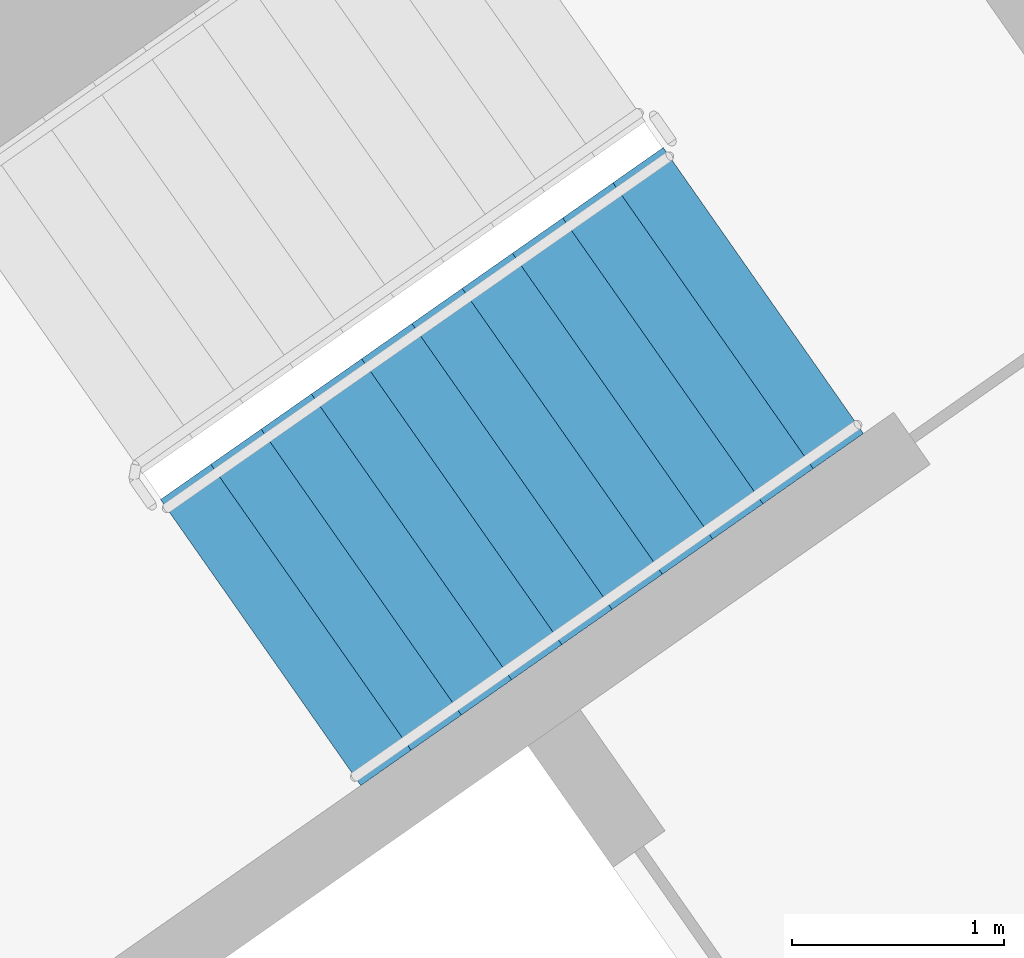
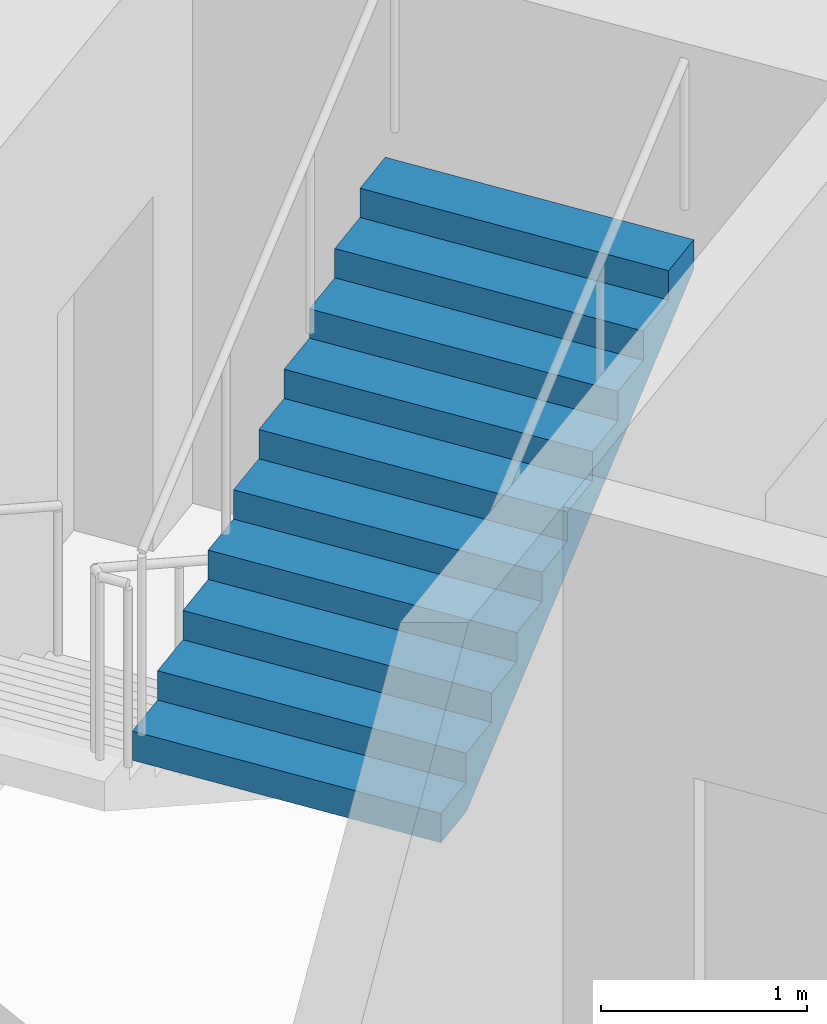
# One storey, part 15 of 31: 1 stair flight, 1 element without a shape of its own.
"""IFC4 building model written with IfcOpenShell, lengths in metres."""

from ifc_helpers import new_model, si_unit, direction, frame, origin, place, context, subcontext, project, spatial, faceted_brep, material, type_object, element, aggregate, save


model = new_model("IFC4")

# Units and contexts
model_context = context("Model", 3, precision=1e-05, world=origin(), true_north=direction((0.0, 1.0)))
body_context = subcontext(model_context, "Body", "Model", "MODEL_VIEW")
ifc_project = project(units=[si_unit("LENGTHUNIT", "METRE"), si_unit("AREAUNIT", "SQUARE_METRE"), si_unit("VOLUMEUNIT", "CUBIC_METRE"), si_unit("PLANEANGLEUNIT", "RADIAN"), si_unit("MASSUNIT", "GRAM", prefix="KILO")], contexts=[model_context])

# Site, building, storey
site_placement = place(None, origin())
site = spatial("IfcSite", under=ifc_project, at=site_placement, CompositionType="ELEMENT")
building_placement = place(site_placement, origin())
building = spatial("IfcBuilding", under=site, at=building_placement, Name="Qamariyya Broadcast Tower", CompositionType="ELEMENT")
storey_placement = place(building_placement, frame((0.0, 0.0, 59.5)))
storey = spatial("IfcBuildingStorey", under=building, at=storey_placement, Name="L11", CompositionType="ELEMENT", Elevation=59.5)

# Stair, stair flight
ifc_material = material(Name="Concrete C50/60", Category="concrete")
stair_type = type_object("IfcStairType", Name="Exit stair 22 risers of 173 mm", PredefinedType="HALF_TURN_STAIR", material=ifc_material)
stair_placement = place(storey_placement, origin())
stair = element("IfcStair", 1, at=stair_placement, inside=storey, type_object=stair_type, Name="L11 Stair E2", PredefinedType="HALF_TURN_STAIR")
stair_flight_type = type_object("IfcStairFlightType", Name="Exit stair flight 11 risers of 173 mm", PredefinedType="STRAIGHT", material=ifc_material)
stair_flight_placement = place(storey_placement, frame((39.215576171875, -50.822998046875, 1.89990234375), z_axis=(0.0, 0.0, 1.0), x_axis=(0.819152044289, 0.573576436351, 0.0)))
stair_flight = element("IfcStairFlight", 2, at=stair_flight_placement, type_object=stair_flight_type, Name="ST-E2 flight 2", NumberOfRisers=11, NumberOfTreads=10, PredefinedType="STRAIGHT", RiserHeight=0.172727273, TreadLength=0.29, context=body_context, shape_type="Brep", body=[
    faceted_brep([(0.0, 0.824951171875, 0.0), (0.0, 0.824951171875, 0.172607421875), (0.2900390625, 0.824951171875, 0.172607421875), (0.2900390625, 0.824951171875, 0.345458984375), (0.580078125, 0.824951171875, 0.345458984375), (0.580078125, 0.824951171875, 0.51806640625), (0.8701171875, 0.824951171875, 0.51806640625), (0.8701171875, 0.824951171875, 0.69091796875), (1.159912109375, 0.824951171875, 0.69091796875), (1.159912109375, 0.824951171875, 0.863525390625), (1.449951171875, 0.824951171875, 0.863525390625), (1.449951171875, 0.824951171875, 1.036376953125), (1.739990234375, 0.824951171875, 1.036376953125), (1.739990234375, 0.824951171875, 1.208984375), (2.030029296875, 0.824951171875, 1.208984375), (2.030029296875, 0.824951171875, 1.3818359375), (2.320068359375, 0.824951171875, 1.3818359375), (2.320068359375, 0.824951171875, 1.554443359375), (2.610107421875, 0.824951171875, 1.554443359375), (2.610107421875, 0.824951171875, 1.727294921875), (2.89990234375, 0.824951171875, 1.727294921875), (2.89990234375, 0.824951171875, 1.552734375), (0.29296875, 0.824951171875, 0.0), (0.29296875, -0.824951171875, 0.0), (2.89990234375, -0.824951171875, 1.552734375), (2.89990234375, -0.824951171875, 1.727294921875), (2.610107421875, -0.824951171875, 1.727294921875), (2.610107421875, -0.824951171875, 1.554443359375), (2.320068359375, -0.824951171875, 1.554443359375), (2.320068359375, -0.824951171875, 1.3818359375), (2.030029296875, -0.824951171875, 1.3818359375), (2.030029296875, -0.824951171875, 1.208984375), (1.739990234375, -0.824951171875, 1.208984375), (1.739990234375, -0.824951171875, 1.036376953125), (1.449951171875, -0.824951171875, 1.036376953125), (1.449951171875, -0.824951171875, 0.863525390625), (1.159912109375, -0.824951171875, 0.863525390625), (1.159912109375, -0.824951171875, 0.69091796875), (0.8701171875, -0.824951171875, 0.69091796875), (0.8701171875, -0.824951171875, 0.51806640625), (0.580078125, -0.824951171875, 0.51806640625), (0.580078125, -0.824951171875, 0.345458984375), (0.2900390625, -0.824951171875, 0.345458984375), (0.2900390625, -0.824951171875, 0.172607421875), (0.0, -0.824951171875, 0.172607421875), (0.0, -0.824951171875, 0.0), (0.0, 0.10009765625, 0.0), (0.0, 0.086669921875, 0.0), (0.0, 0.0732421875, 0.0), (0.0, 0.06005859375, 0.0), (0.0, 0.046630859375, 0.0), (0.0, 0.033447265625, 0.0), (0.0, 0.02001953125, 0.0), (0.0, 0.006591796875, 0.0), (0.0, -0.006591796875, 0.0), (0.0, -0.02001953125, 0.0), (0.0, -0.033447265625, 0.0), (0.0, -0.046630859375, 0.0), (0.0, -0.06005859375, 0.0), (0.0, -0.0732421875, 0.0), (0.0, -0.086669921875, 0.0), (0.0, -0.10009765625, 0.0), (0.0, -0.10009765625, 0.172607421875), (0.0, -0.086669921875, 0.172607421875), (0.0, -0.0732421875, 0.172607421875), (0.0, -0.06005859375, 0.172607421875), (0.0, -0.046630859375, 0.172607421875), (0.0, -0.033447265625, 0.172607421875), (0.0, -0.02001953125, 0.172607421875), (0.0, -0.006591796875, 0.172607421875), (0.0, 0.006591796875, 0.172607421875), (0.0, 0.02001953125, 0.172607421875), (0.0, 0.033447265625, 0.172607421875), (0.0, 0.046630859375, 0.172607421875), (0.0, 0.06005859375, 0.172607421875), (0.0, 0.0732421875, 0.172607421875), (0.0, 0.086669921875, 0.172607421875), (0.0, 0.10009765625, 0.172607421875), (0.2900390625, -0.10009765625, 0.172607421875), (0.2900390625, -0.086669921875, 0.172607421875), (0.2900390625, -0.0732421875, 0.172607421875), (0.2900390625, -0.06005859375, 0.172607421875), (0.2900390625, -0.046630859375, 0.172607421875), (0.2900390625, -0.033447265625, 0.172607421875), (0.2900390625, -0.02001953125, 0.172607421875), (0.2900390625, -0.006591796875, 0.172607421875), (0.2900390625, 0.006591796875, 0.172607421875), (0.2900390625, 0.02001953125, 0.172607421875), (0.2900390625, 0.033447265625, 0.172607421875), (0.2900390625, 0.046630859375, 0.172607421875), (0.2900390625, 0.06005859375, 0.172607421875), (0.2900390625, 0.0732421875, 0.172607421875), (0.2900390625, 0.086669921875, 0.172607421875), (0.2900390625, 0.10009765625, 0.172607421875), (0.2900390625, -0.10009765625, 0.345458984375), (0.2900390625, -0.086669921875, 0.345458984375), (0.2900390625, -0.0732421875, 0.345458984375), (0.2900390625, -0.06005859375, 0.345458984375), (0.2900390625, -0.046630859375, 0.345458984375), (0.2900390625, -0.033447265625, 0.345458984375), (0.2900390625, -0.02001953125, 0.345458984375), (0.2900390625, -0.006591796875, 0.345458984375), (0.2900390625, 0.006591796875, 0.345458984375), (0.2900390625, 0.02001953125, 0.345458984375), (0.2900390625, 0.033447265625, 0.345458984375), (0.2900390625, 0.046630859375, 0.345458984375), (0.2900390625, 0.06005859375, 0.345458984375), (0.2900390625, 0.0732421875, 0.345458984375), (0.2900390625, 0.086669921875, 0.345458984375), (0.2900390625, 0.10009765625, 0.345458984375), (0.580078125, -0.10009765625, 0.345458984375), (0.580078125, -0.086669921875, 0.345458984375), (0.580078125, -0.0732421875, 0.345458984375), (0.580078125, -0.06005859375, 0.345458984375), (0.580078125, -0.046630859375, 0.345458984375), (0.580078125, -0.033447265625, 0.345458984375), (0.580078125, -0.02001953125, 0.345458984375), (0.580078125, -0.006591796875, 0.345458984375), (0.580078125, 0.006591796875, 0.345458984375), (0.580078125, 0.02001953125, 0.345458984375), (0.580078125, 0.033447265625, 0.345458984375), (0.580078125, 0.046630859375, 0.345458984375), (0.580078125, 0.06005859375, 0.345458984375), (0.580078125, 0.0732421875, 0.345458984375), (0.580078125, 0.086669921875, 0.345458984375), (0.580078125, 0.10009765625, 0.345458984375), (0.580078125, -0.10009765625, 0.51806640625), (0.580078125, -0.086669921875, 0.51806640625), (0.580078125, -0.0732421875, 0.51806640625), (0.580078125, -0.06005859375, 0.51806640625), (0.580078125, -0.046630859375, 0.51806640625), (0.580078125, -0.033447265625, 0.51806640625), (0.580078125, -0.02001953125, 0.51806640625), (0.580078125, -0.006591796875, 0.51806640625), (0.580078125, 0.006591796875, 0.51806640625), (0.580078125, 0.02001953125, 0.51806640625), (0.580078125, 0.033447265625, 0.51806640625), (0.580078125, 0.046630859375, 0.51806640625), (0.580078125, 0.06005859375, 0.51806640625), (0.580078125, 0.0732421875, 0.51806640625), (0.580078125, 0.086669921875, 0.51806640625), (0.580078125, 0.10009765625, 0.51806640625), (0.8701171875, -0.10009765625, 0.51806640625), (0.8701171875, -0.086669921875, 0.51806640625), (0.8701171875, -0.0732421875, 0.51806640625), (0.8701171875, -0.06005859375, 0.51806640625), (0.8701171875, -0.046630859375, 0.51806640625), (0.8701171875, -0.033447265625, 0.51806640625), (0.8701171875, -0.02001953125, 0.51806640625), (0.8701171875, -0.006591796875, 0.51806640625), (0.8701171875, 0.006591796875, 0.51806640625), (0.8701171875, 0.02001953125, 0.51806640625), (0.8701171875, 0.033447265625, 0.51806640625), (0.8701171875, 0.046630859375, 0.51806640625), (0.8701171875, 0.06005859375, 0.51806640625), (0.8701171875, 0.0732421875, 0.51806640625), (0.8701171875, 0.086669921875, 0.51806640625), (0.8701171875, 0.10009765625, 0.51806640625), (0.8701171875, -0.10009765625, 0.69091796875), (0.8701171875, -0.086669921875, 0.69091796875), (0.8701171875, -0.0732421875, 0.69091796875), (0.8701171875, -0.06005859375, 0.69091796875), (0.8701171875, -0.046630859375, 0.69091796875), (0.8701171875, -0.033447265625, 0.69091796875), (0.8701171875, -0.02001953125, 0.69091796875), (0.8701171875, -0.006591796875, 0.69091796875), (0.8701171875, 0.006591796875, 0.69091796875), (0.8701171875, 0.02001953125, 0.69091796875), (0.8701171875, 0.033447265625, 0.69091796875), (0.8701171875, 0.046630859375, 0.69091796875), (0.8701171875, 0.06005859375, 0.69091796875), (0.8701171875, 0.0732421875, 0.69091796875), (0.8701171875, 0.086669921875, 0.69091796875), (0.8701171875, 0.10009765625, 0.69091796875), (1.159912109375, -0.10009765625, 0.69091796875), (1.159912109375, -0.086669921875, 0.69091796875), (1.159912109375, -0.0732421875, 0.69091796875), (1.159912109375, -0.06005859375, 0.69091796875), (1.159912109375, -0.046630859375, 0.69091796875), (1.159912109375, -0.033447265625, 0.69091796875), (1.159912109375, -0.02001953125, 0.69091796875), (1.159912109375, -0.006591796875, 0.69091796875), (1.159912109375, 0.006591796875, 0.69091796875), (1.159912109375, 0.02001953125, 0.69091796875), (1.159912109375, 0.033447265625, 0.69091796875), (1.159912109375, 0.046630859375, 0.69091796875), (1.159912109375, 0.06005859375, 0.69091796875), (1.159912109375, 0.0732421875, 0.69091796875), (1.159912109375, 0.086669921875, 0.69091796875), (1.159912109375, 0.10009765625, 0.69091796875), (1.159912109375, -0.10009765625, 0.863525390625), (1.159912109375, -0.086669921875, 0.863525390625), (1.159912109375, -0.0732421875, 0.863525390625), (1.159912109375, -0.06005859375, 0.863525390625), (1.159912109375, -0.046630859375, 0.863525390625), (1.159912109375, -0.033447265625, 0.863525390625), (1.159912109375, -0.02001953125, 0.863525390625), (1.159912109375, -0.006591796875, 0.863525390625), (1.159912109375, 0.006591796875, 0.863525390625), (1.159912109375, 0.02001953125, 0.863525390625), (1.159912109375, 0.033447265625, 0.863525390625), (1.159912109375, 0.046630859375, 0.863525390625), (1.159912109375, 0.06005859375, 0.863525390625), (1.159912109375, 0.0732421875, 0.863525390625), (1.159912109375, 0.086669921875, 0.863525390625), (1.159912109375, 0.10009765625, 0.863525390625), (1.449951171875, -0.10009765625, 0.863525390625), (1.449951171875, -0.086669921875, 0.863525390625), (1.449951171875, -0.0732421875, 0.863525390625), (1.449951171875, -0.06005859375, 0.863525390625), (1.449951171875, -0.046630859375, 0.863525390625), (1.449951171875, -0.033447265625, 0.863525390625), (1.449951171875, -0.02001953125, 0.863525390625), (1.449951171875, -0.006591796875, 0.863525390625), (1.449951171875, 0.006591796875, 0.863525390625), (1.449951171875, 0.02001953125, 0.863525390625), (1.449951171875, 0.033447265625, 0.863525390625), (1.449951171875, 0.046630859375, 0.863525390625), (1.449951171875, 0.06005859375, 0.863525390625), (1.449951171875, 0.0732421875, 0.863525390625), (1.449951171875, 0.086669921875, 0.863525390625), (1.449951171875, 0.10009765625, 0.863525390625), (1.449951171875, -0.10009765625, 1.036376953125), (1.449951171875, -0.086669921875, 1.036376953125), (1.449951171875, -0.0732421875, 1.036376953125), (1.449951171875, -0.06005859375, 1.036376953125), (1.449951171875, -0.046630859375, 1.036376953125), (1.449951171875, -0.033447265625, 1.036376953125), (1.449951171875, -0.02001953125, 1.036376953125), (1.449951171875, -0.006591796875, 1.036376953125), (1.449951171875, 0.006591796875, 1.036376953125), (1.449951171875, 0.02001953125, 1.036376953125), (1.449951171875, 0.033447265625, 1.036376953125), (1.449951171875, 0.046630859375, 1.036376953125), (1.449951171875, 0.06005859375, 1.036376953125), (1.449951171875, 0.0732421875, 1.036376953125), (1.449951171875, 0.086669921875, 1.036376953125), (1.449951171875, 0.10009765625, 1.036376953125), (1.739990234375, -0.10009765625, 1.036376953125), (1.739990234375, -0.086669921875, 1.036376953125), (1.739990234375, -0.0732421875, 1.036376953125), (1.739990234375, -0.06005859375, 1.036376953125), (1.739990234375, -0.046630859375, 1.036376953125), (1.739990234375, -0.033447265625, 1.036376953125), (1.739990234375, -0.02001953125, 1.036376953125), (1.739990234375, -0.006591796875, 1.036376953125), (1.739990234375, 0.006591796875, 1.036376953125), (1.739990234375, 0.02001953125, 1.036376953125), (1.739990234375, 0.033447265625, 1.036376953125), (1.739990234375, 0.046630859375, 1.036376953125), (1.739990234375, 0.06005859375, 1.036376953125), (1.739990234375, 0.0732421875, 1.036376953125), (1.739990234375, 0.086669921875, 1.036376953125), (1.739990234375, 0.10009765625, 1.036376953125), (1.739990234375, -0.10009765625, 1.208984375), (1.739990234375, -0.086669921875, 1.208984375), (1.739990234375, -0.0732421875, 1.208984375), (1.739990234375, -0.06005859375, 1.208984375), (1.739990234375, -0.046630859375, 1.208984375), (1.739990234375, -0.033447265625, 1.208984375), (1.739990234375, -0.02001953125, 1.208984375), (1.739990234375, -0.006591796875, 1.208984375), (1.739990234375, 0.006591796875, 1.208984375), (1.739990234375, 0.02001953125, 1.208984375), (1.739990234375, 0.033447265625, 1.208984375), (1.739990234375, 0.046630859375, 1.208984375), (1.739990234375, 0.06005859375, 1.208984375), (1.739990234375, 0.0732421875, 1.208984375), (1.739990234375, 0.086669921875, 1.208984375), (1.739990234375, 0.10009765625, 1.208984375), (2.030029296875, -0.10009765625, 1.208984375), (2.030029296875, -0.086669921875, 1.208984375), (2.030029296875, -0.0732421875, 1.208984375), (2.030029296875, -0.06005859375, 1.208984375), (2.030029296875, -0.046630859375, 1.208984375), (2.030029296875, -0.033447265625, 1.208984375), (2.030029296875, -0.02001953125, 1.208984375), (2.030029296875, -0.006591796875, 1.208984375), (2.030029296875, 0.006591796875, 1.208984375), (2.030029296875, 0.02001953125, 1.208984375), (2.030029296875, 0.033447265625, 1.208984375), (2.030029296875, 0.046630859375, 1.208984375), (2.030029296875, 0.06005859375, 1.208984375), (2.030029296875, 0.0732421875, 1.208984375), (2.030029296875, 0.086669921875, 1.208984375), (2.030029296875, 0.10009765625, 1.208984375), (2.030029296875, -0.10009765625, 1.3818359375), (2.030029296875, -0.086669921875, 1.3818359375), (2.030029296875, -0.0732421875, 1.3818359375), (2.030029296875, -0.06005859375, 1.3818359375), (2.030029296875, -0.046630859375, 1.3818359375), (2.030029296875, -0.033447265625, 1.3818359375), (2.030029296875, -0.02001953125, 1.3818359375), (2.030029296875, -0.006591796875, 1.3818359375), (2.030029296875, 0.006591796875, 1.3818359375), (2.030029296875, 0.02001953125, 1.3818359375), (2.030029296875, 0.033447265625, 1.3818359375), (2.030029296875, 0.046630859375, 1.3818359375), (2.030029296875, 0.06005859375, 1.3818359375), (2.030029296875, 0.0732421875, 1.3818359375), (2.030029296875, 0.086669921875, 1.3818359375), (2.030029296875, 0.10009765625, 1.3818359375), (2.320068359375, -0.10009765625, 1.3818359375), (2.320068359375, -0.086669921875, 1.3818359375), (2.320068359375, -0.0732421875, 1.3818359375), (2.320068359375, -0.06005859375, 1.3818359375), (2.320068359375, -0.046630859375, 1.3818359375), (2.320068359375, -0.033447265625, 1.3818359375), (2.320068359375, -0.02001953125, 1.3818359375), (2.320068359375, -0.006591796875, 1.3818359375), (2.320068359375, 0.006591796875, 1.3818359375), (2.320068359375, 0.02001953125, 1.3818359375), (2.320068359375, 0.033447265625, 1.3818359375), (2.320068359375, 0.046630859375, 1.3818359375), (2.320068359375, 0.06005859375, 1.3818359375), (2.320068359375, 0.0732421875, 1.3818359375), (2.320068359375, 0.086669921875, 1.3818359375), (2.320068359375, 0.10009765625, 1.3818359375), (2.320068359375, -0.10009765625, 1.554443359375), (2.320068359375, -0.086669921875, 1.554443359375), (2.320068359375, -0.0732421875, 1.554443359375), (2.320068359375, -0.06005859375, 1.554443359375), (2.320068359375, -0.046630859375, 1.554443359375), (2.320068359375, -0.033447265625, 1.554443359375), (2.320068359375, -0.02001953125, 1.554443359375), (2.320068359375, -0.006591796875, 1.554443359375), (2.320068359375, 0.006591796875, 1.554443359375), (2.320068359375, 0.02001953125, 1.554443359375), (2.320068359375, 0.033447265625, 1.554443359375), (2.320068359375, 0.046630859375, 1.554443359375), (2.320068359375, 0.06005859375, 1.554443359375), (2.320068359375, 0.0732421875, 1.554443359375), (2.320068359375, 0.086669921875, 1.554443359375), (2.320068359375, 0.10009765625, 1.554443359375), (2.610107421875, -0.10009765625, 1.554443359375), (2.610107421875, -0.086669921875, 1.554443359375), (2.610107421875, -0.0732421875, 1.554443359375), (2.610107421875, -0.06005859375, 1.554443359375), (2.610107421875, -0.046630859375, 1.554443359375), (2.610107421875, -0.033447265625, 1.554443359375), (2.610107421875, -0.02001953125, 1.554443359375), (2.610107421875, -0.006591796875, 1.554443359375), (2.610107421875, 0.006591796875, 1.554443359375), (2.610107421875, 0.02001953125, 1.554443359375), (2.610107421875, 0.033447265625, 1.554443359375), (2.610107421875, 0.046630859375, 1.554443359375), (2.610107421875, 0.06005859375, 1.554443359375), (2.610107421875, 0.0732421875, 1.554443359375), (2.610107421875, 0.086669921875, 1.554443359375), (2.610107421875, 0.10009765625, 1.554443359375), (2.610107421875, -0.10009765625, 1.727294921875), (2.610107421875, -0.086669921875, 1.727294921875), (2.610107421875, -0.0732421875, 1.727294921875), (2.610107421875, -0.06005859375, 1.727294921875), (2.610107421875, -0.046630859375, 1.727294921875), (2.610107421875, -0.033447265625, 1.727294921875), (2.610107421875, -0.02001953125, 1.727294921875), (2.610107421875, -0.006591796875, 1.727294921875), (2.610107421875, 0.006591796875, 1.727294921875), (2.610107421875, 0.02001953125, 1.727294921875), (2.610107421875, 0.033447265625, 1.727294921875), (2.610107421875, 0.046630859375, 1.727294921875), (2.610107421875, 0.06005859375, 1.727294921875), (2.610107421875, 0.0732421875, 1.727294921875), (2.610107421875, 0.086669921875, 1.727294921875), (2.610107421875, 0.10009765625, 1.727294921875), (2.89990234375, -0.10009765625, 1.727294921875), (2.89990234375, -0.086669921875, 1.727294921875), (2.89990234375, -0.0732421875, 1.727294921875), (2.89990234375, -0.06005859375, 1.727294921875), (2.89990234375, -0.046630859375, 1.727294921875), (2.89990234375, -0.033447265625, 1.727294921875), (2.89990234375, -0.02001953125, 1.727294921875), (2.89990234375, -0.006591796875, 1.727294921875), (2.89990234375, 0.006591796875, 1.727294921875), (2.89990234375, 0.02001953125, 1.727294921875), (2.89990234375, 0.033447265625, 1.727294921875), (2.89990234375, 0.046630859375, 1.727294921875), (2.89990234375, 0.06005859375, 1.727294921875), (2.89990234375, 0.0732421875, 1.727294921875), (2.89990234375, 0.086669921875, 1.727294921875), (2.89990234375, 0.10009765625, 1.727294921875), (2.89990234375, -0.10009765625, 1.552734375), (2.89990234375, -0.086669921875, 1.552734375), (2.89990234375, -0.0732421875, 1.552734375), (2.89990234375, -0.06005859375, 1.552734375), (2.89990234375, -0.046630859375, 1.552734375), (2.89990234375, -0.033447265625, 1.552734375), (2.89990234375, -0.02001953125, 1.552734375), (2.89990234375, -0.006591796875, 1.552734375), (2.89990234375, 0.006591796875, 1.552734375), (2.89990234375, 0.02001953125, 1.552734375), (2.89990234375, 0.033447265625, 1.552734375), (2.89990234375, 0.046630859375, 1.552734375), (2.89990234375, 0.06005859375, 1.552734375), (2.89990234375, 0.0732421875, 1.552734375), (2.89990234375, 0.086669921875, 1.552734375), (2.89990234375, 0.10009765625, 1.552734375), (0.29296875, -0.10009765625, 0.0), (0.29296875, -0.086669921875, 0.0), (0.29296875, -0.0732421875, 0.0), (0.29296875, -0.06005859375, 0.0), (0.29296875, -0.046630859375, 0.0), (0.29296875, -0.033447265625, 0.0), (0.29296875, -0.02001953125, 0.0), (0.29296875, -0.006591796875, 0.0), (0.29296875, 0.006591796875, 0.0), (0.29296875, 0.02001953125, 0.0), (0.29296875, 0.033447265625, 0.0), (0.29296875, 0.046630859375, 0.0), (0.29296875, 0.06005859375, 0.0), (0.29296875, 0.0732421875, 0.0), (0.29296875, 0.086669921875, 0.0), (0.29296875, 0.10009765625, 0.0)], [[[0, 1, 2, 3, 4, 5, 6, 7, 8, 9, 10, 11, 12, 13, 14, 15, 16, 17, 18, 19, 20, 21, 22]], [[23, 24, 25, 26, 27, 28, 29, 30, 31, 32, 33, 34, 35, 36, 37, 38, 39, 40, 41, 42, 43, 44, 45]], [[0, 46, 47, 48, 49, 50, 51, 52, 53, 54, 55, 56, 57, 58, 59, 60, 61, 45, 44, 62, 63, 64, 65, 66, 67, 68, 69, 70, 71, 72, 73, 74, 75, 76, 77, 1]], [[1, 77, 76, 75, 74, 73, 72, 71, 70, 69, 68, 67, 66, 65, 64, 63, 62, 44, 43, 78, 79, 80, 81, 82, 83, 84, 85, 86, 87, 88, 89, 90, 91, 92, 93, 2]], [[2, 93, 92, 91, 90, 89, 88, 87, 86, 85, 84, 83, 82, 81, 80, 79, 78, 43, 42, 94, 95, 96, 97, 98, 99, 100, 101, 102, 103, 104, 105, 106, 107, 108, 109, 3]], [[3, 109, 108, 107, 106, 105, 104, 103, 102, 101, 100, 99, 98, 97, 96, 95, 94, 42, 41, 110, 111, 112, 113, 114, 115, 116, 117, 118, 119, 120, 121, 122, 123, 124, 125, 4]], [[4, 125, 124, 123, 122, 121, 120, 119, 118, 117, 116, 115, 114, 113, 112, 111, 110, 41, 40, 126, 127, 128, 129, 130, 131, 132, 133, 134, 135, 136, 137, 138, 139, 140, 141, 5]], [[5, 141, 140, 139, 138, 137, 136, 135, 134, 133, 132, 131, 130, 129, 128, 127, 126, 40, 39, 142, 143, 144, 145, 146, 147, 148, 149, 150, 151, 152, 153, 154, 155, 156, 157, 6]], [[6, 157, 156, 155, 154, 153, 152, 151, 150, 149, 148, 147, 146, 145, 144, 143, 142, 39, 38, 158, 159, 160, 161, 162, 163, 164, 165, 166, 167, 168, 169, 170, 171, 172, 173, 7]], [[7, 173, 172, 171, 170, 169, 168, 167, 166, 165, 164, 163, 162, 161, 160, 159, 158, 38, 37, 174, 175, 176, 177, 178, 179, 180, 181, 182, 183, 184, 185, 186, 187, 188, 189, 8]], [[8, 189, 188, 187, 186, 185, 184, 183, 182, 181, 180, 179, 178, 177, 176, 175, 174, 37, 36, 190, 191, 192, 193, 194, 195, 196, 197, 198, 199, 200, 201, 202, 203, 204, 205, 9]], [[9, 205, 204, 203, 202, 201, 200, 199, 198, 197, 196, 195, 194, 193, 192, 191, 190, 36, 35, 206, 207, 208, 209, 210, 211, 212, 213, 214, 215, 216, 217, 218, 219, 220, 221, 10]], [[10, 221, 220, 219, 218, 217, 216, 215, 214, 213, 212, 211, 210, 209, 208, 207, 206, 35, 34, 222, 223, 224, 225, 226, 227, 228, 229, 230, 231, 232, 233, 234, 235, 236, 237, 11]], [[11, 237, 236, 235, 234, 233, 232, 231, 230, 229, 228, 227, 226, 225, 224, 223, 222, 34, 33, 238, 239, 240, 241, 242, 243, 244, 245, 246, 247, 248, 249, 250, 251, 252, 253, 12]], [[12, 253, 252, 251, 250, 249, 248, 247, 246, 245, 244, 243, 242, 241, 240, 239, 238, 33, 32, 254, 255, 256, 257, 258, 259, 260, 261, 262, 263, 264, 265, 266, 267, 268, 269, 13]], [[13, 269, 268, 267, 266, 265, 264, 263, 262, 261, 260, 259, 258, 257, 256, 255, 254, 32, 31, 270, 271, 272, 273, 274, 275, 276, 277, 278, 279, 280, 281, 282, 283, 284, 285, 14]], [[14, 285, 284, 283, 282, 281, 280, 279, 278, 277, 276, 275, 274, 273, 272, 271, 270, 31, 30, 286, 287, 288, 289, 290, 291, 292, 293, 294, 295, 296, 297, 298, 299, 300, 301, 15]], [[15, 301, 300, 299, 298, 297, 296, 295, 294, 293, 292, 291, 290, 289, 288, 287, 286, 30, 29, 302, 303, 304, 305, 306, 307, 308, 309, 310, 311, 312, 313, 314, 315, 316, 317, 16]], [[16, 317, 316, 315, 314, 313, 312, 311, 310, 309, 308, 307, 306, 305, 304, 303, 302, 29, 28, 318, 319, 320, 321, 322, 323, 324, 325, 326, 327, 328, 329, 330, 331, 332, 333, 17]], [[17, 333, 332, 331, 330, 329, 328, 327, 326, 325, 324, 323, 322, 321, 320, 319, 318, 28, 27, 334, 335, 336, 337, 338, 339, 340, 341, 342, 343, 344, 345, 346, 347, 348, 349, 18]], [[18, 349, 348, 347, 346, 345, 344, 343, 342, 341, 340, 339, 338, 337, 336, 335, 334, 27, 26, 350, 351, 352, 353, 354, 355, 356, 357, 358, 359, 360, 361, 362, 363, 364, 365, 19]], [[19, 365, 364, 363, 362, 361, 360, 359, 358, 357, 356, 355, 354, 353, 352, 351, 350, 26, 25, 366, 367, 368, 369, 370, 371, 372, 373, 374, 375, 376, 377, 378, 379, 380, 381, 20]], [[20, 381, 380, 379, 378, 377, 376, 375, 374, 373, 372, 371, 370, 369, 368, 367, 366, 25, 24, 382, 383, 384, 385, 386, 387, 388, 389, 390, 391, 392, 393, 394, 395, 396, 397, 21]], [[21, 397, 396, 395, 394, 393, 392, 391, 390, 389, 388, 387, 386, 385, 384, 383, 382, 24, 23, 398, 399, 400, 401, 402, 403, 404, 405, 406, 407, 408, 409, 410, 411, 412, 413, 22]], [[22, 413, 412, 411, 410, 409, 408, 407, 406, 405, 404, 403, 402, 401, 400, 399, 398, 23, 45, 61, 60, 59, 58, 57, 56, 55, 54, 53, 52, 51, 50, 49, 48, 47, 46, 0]]]),
])
aggregate(stair, [stair_flight])

save(model, "model.ifc")
